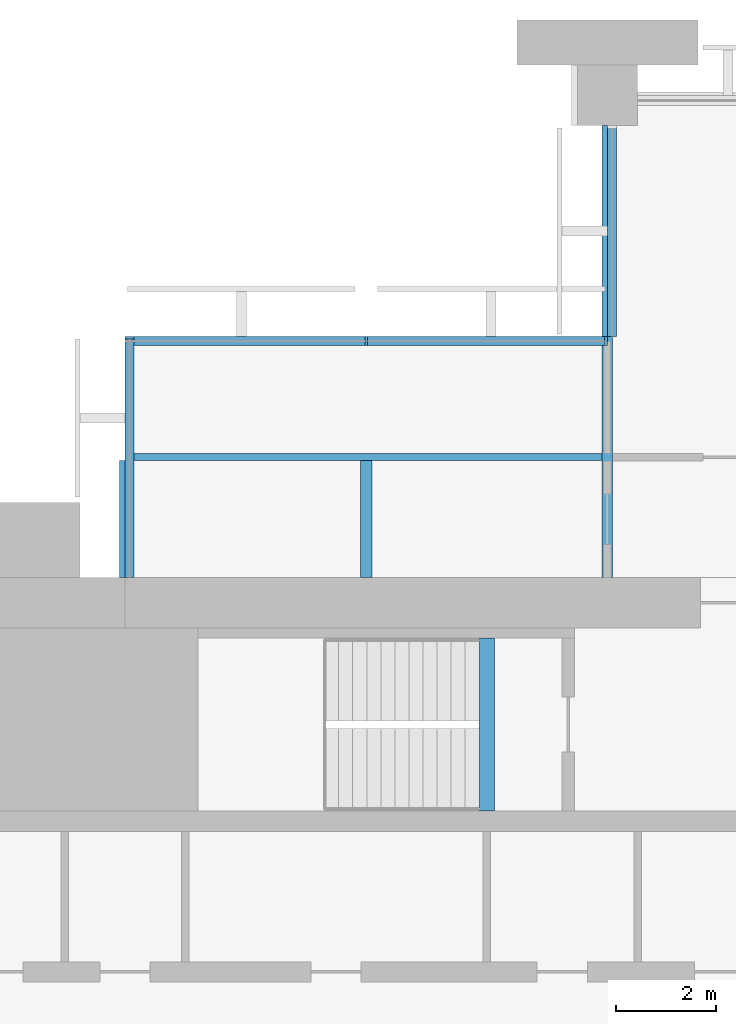
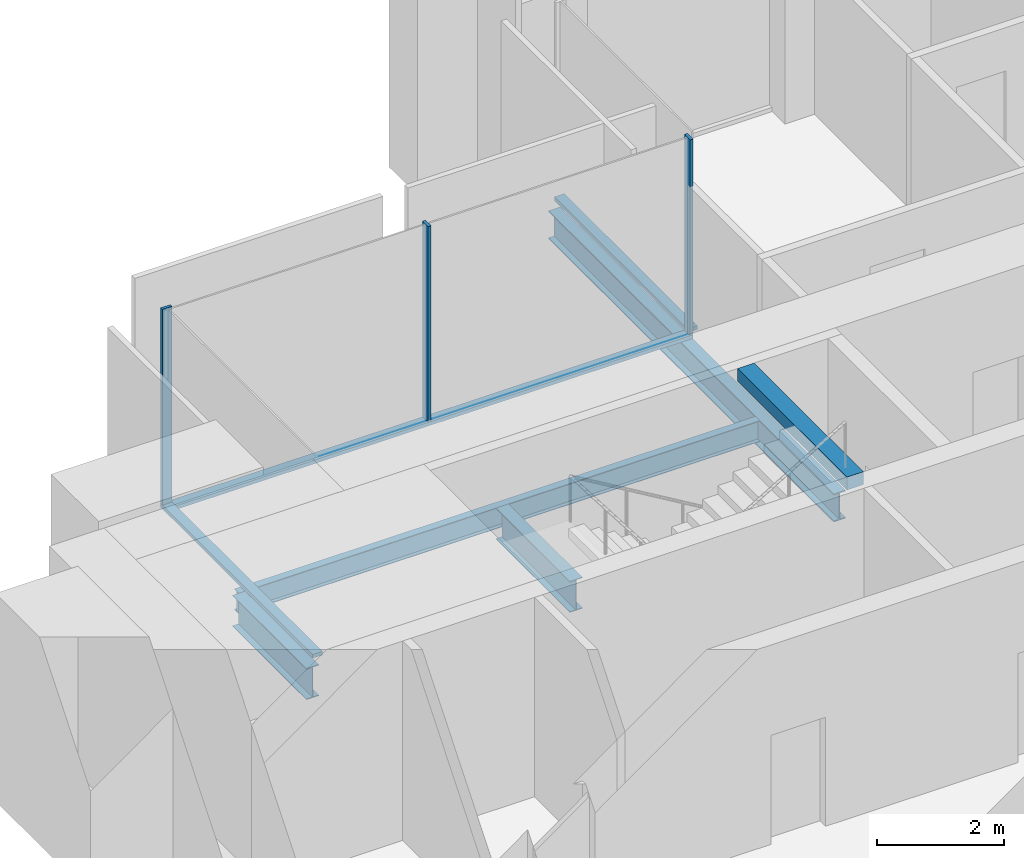
# One storey, part 5 of 14: 6 members, 5 beams, 3 elements without a shape of their own.
"""IFC4 building model written with IfcOpenShell, lengths in metres."""

from ifc_helpers import new_model, si_unit, direction, frame, origin, origin_2d, place, context, subcontext, project, spatial, rectangle, i_section, extrude, material, material_profile, profile_set, type_object, element, aggregate, save


model = new_model("IFC4")

# Units and contexts
model_context = context("Model", 3, precision=1e-05, world=origin(), true_north=direction((0.0, 1.0)))
body_context = subcontext(model_context, "Body", "Model", "MODEL_VIEW")
ifc_project = project(units=[si_unit("LENGTHUNIT", "METRE"), si_unit("AREAUNIT", "SQUARE_METRE"), si_unit("VOLUMEUNIT", "CUBIC_METRE"), si_unit("PLANEANGLEUNIT", "RADIAN"), si_unit("MASSUNIT", "GRAM", prefix="KILO")], contexts=[model_context])

# Site, building, storey
site_placement = place(None, origin())
site = spatial("IfcSite", under=ifc_project, at=site_placement, CompositionType="ELEMENT")
building_placement = place(site_placement, origin())
building = spatial("IfcBuilding", under=site, at=building_placement, Name="Baori Bourse Tower", CompositionType="ELEMENT")
storey_placement = place(building_placement, frame((0.0, 0.0, 156.10009765625)))
storey = spatial("IfcBuildingStorey", under=building, at=storey_placement, Name="L34", CompositionType="ELEMENT", Elevation=156.10009765625)

# Curtain wall, members
ifc_material_1 = material(Name="Pale anodised aluminium", Category="aluminium")
curtain_wall_type = type_object("IfcCurtainWallType", Name="CW2 Curtain wall", PredefinedType="NOTDEFINED", material=ifc_material_1)
curtain_wall_1_placement = place(storey_placement, origin())
curtain_wall_1 = element("IfcCurtainWall", 1, at=curtain_wall_1_placement, inside=storey, type_object=curtain_wall_type, Name="Curtain wall CW2 L34 6", PredefinedType="NOTDEFINED")
ifc_material_2 = material(Name="Pale anodised aluminium", Category="aluminium")
ifc_material_profile_1 = material_profile(ifc_material_2, rectangle(XDim=0.179931640625, YDim=0.054931640625, at=origin_2d()), Name="Mullion 55x180")
ifc_profile_set_1 = profile_set([ifc_material_profile_1], Name="Pale anodised aluminium")
member_type_1 = type_object("IfcMemberType", Name="CW2 Curtain wall mullion", PredefinedType="MULLION", material=ifc_profile_set_1)
member_1_placement = place(storey_placement, frame((14.37255859375, 43.110107421875, 0.06982421875), z_axis=(0.0, 0.0, 1.0), x_axis=(0.0, -1.0, 0.0)))
member_1 = element("IfcMember", 2, at=member_1_placement, type_object=member_type_1, Name="Curtain wall CW2 mullion", PredefinedType="MULLION", context=body_context, shape_type="SweptSolid", body=[
    extrude(rectangle(XDim=0.179931640625, YDim=0.054931640625, at=origin_2d()), origin(), (0.0, 0.0, 1.0), 3.77001953125),
])
member_2_placement = place(storey_placement, frame((9.60009765625, 43.110107421875, 0.06982421875), z_axis=(0.0, 0.0, 1.0), x_axis=(0.0, -1.0, 0.0)))
member_2 = element("IfcMember", 3, at=member_2_placement, type_object=member_type_1, Name="Curtain wall CW2 mullion", PredefinedType="MULLION", context=body_context, shape_type="SweptSolid", body=[
    extrude(rectangle(XDim=0.179931640625, YDim=0.054931640625, at=origin_2d()), origin(), (0.0, 0.0, 1.0), 3.77001953125),
])

# Curtain wall, member
curtain_wall_2_placement = place(storey_placement, origin())
curtain_wall_2 = element("IfcCurtainWall", 4, at=curtain_wall_2_placement, inside=storey, type_object=curtain_wall_type, Name="Curtain wall CW2 L34 7", PredefinedType="NOTDEFINED")
member_3_placement = place(storey_placement, frame((4.889892578125, 43.172607421875, 0.06982421875), z_axis=(0.0, 0.0, 1.0), x_axis=(1.0, 0.0, 0.0)))
member_3 = element("IfcMember", 5, at=member_3_placement, type_object=member_type_1, Name="Curtain wall CW2 mullion", PredefinedType="MULLION", context=body_context, shape_type="SweptSolid", body=[
    extrude(rectangle(XDim=0.179931640625, YDim=0.054931640625, at=origin_2d()), origin(), (0.0, 0.0, 1.0), 3.77001953125),
])

curtain_wall_3_placement = place(storey_placement, origin())
curtain_wall_3 = element("IfcCurtainWall", 6, at=curtain_wall_3_placement, inside=storey, type_object=curtain_wall_type, Name="Curtain wall CW2 L34 5", PredefinedType="NOTDEFINED")
ifc_material_3 = material(Name="Pale anodised aluminium", Category="aluminium")
ifc_material_profile_2 = material_profile(ifc_material_3, rectangle(XDim=0.179931640625, YDim=0.070068359375, at=origin_2d()), Name="Transom 70x180")
ifc_profile_set_2 = profile_set([ifc_material_profile_2], Name="Pale anodised aluminium")
member_type_2 = type_object("IfcMemberType", Name="CW2 Curtain wall transom", PredefinedType="USERDEFINED", material=ifc_profile_set_2)
member_4_placement = place(storey_placement, frame((14.489990234375, 47.39990234375, 0.034912109375), z_axis=(0.0, -1.0, 0.0), x_axis=(1.0, 0.0, 0.0)))
member_4 = element("IfcMember", 7, at=member_4_placement, type_object=member_type_2, Name="Curtain wall CW2 sill rail", ObjectType="TRANSOM", PredefinedType="USERDEFINED", context=body_context, shape_type="SweptSolid", body=[
    extrude(rectangle(XDim=0.179931640625, YDim=0.070068359375, at=origin_2d()), origin(), (0.0, 0.0, 1.0), 4.199951171875),
])
aggregate(curtain_wall_3, [member_4])

# Member
member_5_placement = place(storey_placement, frame((14.39990234375, 43.110107421875, 0.034912109375), z_axis=(-1.0, 0.0, 0.0), x_axis=(0.0, -1.0, 0.0)))
member_5 = element("IfcMember", 8, at=member_5_placement, type_object=member_type_2, Name="Curtain wall CW2 sill rail", ObjectType="TRANSOM", PredefinedType="USERDEFINED", context=body_context, shape_type="SweptSolid", body=[
    extrude(rectangle(XDim=0.179931640625, YDim=0.070068359375, at=origin_2d()), origin(), (0.0, 0.0, 1.0), 9.599853515625),
])

aggregate(curtain_wall_1, [member_5, member_1, member_2])

member_6_placement = place(storey_placement, frame((4.889892578125, 43.199951171875, 0.034912109375), z_axis=(0.0, -1.0, 0.0), x_axis=(1.0, 0.0, 0.0)))
member_6 = element("IfcMember", 9, at=member_6_placement, type_object=member_type_2, Name="Curtain wall CW2 sill rail", ObjectType="TRANSOM", PredefinedType="USERDEFINED", context=body_context, shape_type="SweptSolid", body=[
    extrude(rectangle(XDim=0.179931640625, YDim=0.070068359375, at=origin_2d()), origin(), (0.0, 0.0, 1.0), 4.800048828125),
])

aggregate(curtain_wall_2, [member_6, member_3])

# Beams
ifc_material_4 = material(Name="Steel A992 Gr 50", Category="steel")
ifc_material_profile_3 = material_profile(ifc_material_4, i_section(OverallWidth=0.227783203125, OverallDepth=0.60205078125, WebThickness=0.010498046875, FlangeThickness=0.014892578125, at=origin_2d()), Name="W24x68")
ifc_profile_set_3 = profile_set([ifc_material_profile_3], Name="Steel A992 Gr 50")
beam_type_1 = type_object("IfcBeamType", Name="Core bracket W24x68", PredefinedType="BEAM", material=ifc_profile_set_3)
for number, where, z_axis, x_axis, name in (
    (10, (4.800048828125, 38.39990234375, -0.461181640625), (0.0, 1.0, 0.0), (-1.0, 0.0, 0.0), "Core bracket L34"),
    (11, (9.60009765625, 38.39990234375, -0.461181640625), (0.0, 1.0, 0.0), (-1.0, 0.0, 0.0), "Core bracket L34"),
):
    element("IfcBeam", number, at=place(storey_placement, frame(where, z_axis=z_axis, x_axis=x_axis)), inside=storey, type_object=beam_type_1, Name=name, PredefinedType="BEAM", context=body_context, shape_type="SweptSolid", body=[
        extrude(i_section(OverallWidth=0.227783203125, OverallDepth=0.60205078125, WebThickness=0.010498046875, FlangeThickness=0.014892578125, at=origin_2d()), origin(), (0.0, 0.0, 1.0), 2.329833984375),
    ])
ifc_material_5 = material(Name="Steel A992 Gr 50", Category="steel")
ifc_material_profile_4 = material_profile(ifc_material_5, i_section(OverallWidth=0.21240234375, OverallDepth=0.54345703125, WebThickness=0.01318359375, FlangeThickness=0.021240234375, at=origin_2d()), Name="W21x83")
ifc_profile_set_4 = profile_set([ifc_material_profile_4], Name="Steel A992 Gr 50")
beam_type_2 = type_object("IfcBeamType", Name="Floor beam W21x83", PredefinedType="BEAM", material=ifc_profile_set_4)
beam_1_placement = place(storey_placement, frame((14.39990234375, 38.39990234375, -0.431884765625), z_axis=(0.0, 1.0, 0.0), x_axis=(-1.0, 0.0, 0.0)))
element("IfcBeam", 12, at=beam_1_placement, inside=storey, type_object=beam_type_2, Name="Floor beam L34", PredefinedType="BEAM", context=body_context, shape_type="SweptSolid", body=[
    extrude(i_section(OverallWidth=0.21240234375, OverallDepth=0.54345703125, WebThickness=0.01318359375, FlangeThickness=0.021240234375, at=origin_2d()), origin(), (0.0, 0.0, 1.0), 9.0),
])
ifc_material_6 = material(Name="Concrete f'c 50 MPa", Category="concrete")
ifc_material_profile_5 = material_profile(ifc_material_6, rectangle(XDim=0.300048828125, YDim=0.25, at=origin_2d()), Name="RC 300x250")
ifc_profile_set_5 = profile_set([ifc_material_profile_5], Name="Concrete f'c 50 MPa")
beam_type_3 = type_object("IfcBeamType", Name="Stair nib beam RC 300x250", PredefinedType="BEAM", material=ifc_profile_set_5)
beam_2_placement = place(storey_placement, frame((12.0, 33.75, 3.71484375), z_axis=(0.0, 1.0, 0.0), x_axis=(-1.0, 0.0, 0.0)))
element("IfcBeam", 13, at=beam_2_placement, inside=storey, type_object=beam_type_3, Name="Stair WB nib beam L35", PredefinedType="BEAM", context=body_context, shape_type="SweptSolid", body=[
    extrude(rectangle(XDim=0.300048828125, YDim=0.25, at=origin_2d()), origin(), (0.0, 0.0, 1.0), 3.449951171875),
])
ifc_material_7 = material(Name="Steel A992 Gr 50", Category="steel")
ifc_material_profile_6 = material_profile(ifc_material_7, i_section(OverallWidth=0.140380859375, OverallDepth=0.40380859375, WebThickness=0.007080078125, FlangeThickness=0.01123046875, at=origin_2d()), Name="W16x31")
ifc_profile_set_6 = profile_set([ifc_material_profile_6], Name="Steel A992 Gr 50")
beam_type_4 = type_object("IfcBeamType", Name="Trimmer beam W16x31", PredefinedType="BEAM", material=ifc_profile_set_6)
beam_3_placement = place(storey_placement, frame((4.800048828125, 40.800048828125, -0.362060546875), z_axis=(1.0, 0.0, 0.0), x_axis=(0.0, 1.0, 0.0)))
element("IfcBeam", 14, at=beam_3_placement, inside=storey, type_object=beam_type_4, Name="Trimmer beam L34", PredefinedType="BEAM", context=body_context, shape_type="SweptSolid", body=[
    extrude(i_section(OverallWidth=0.140380859375, OverallDepth=0.40380859375, WebThickness=0.007080078125, FlangeThickness=0.01123046875, at=origin_2d()), origin(), (0.0, 0.0, 1.0), 9.493896484375),
])

save(model, "model.ifc")
